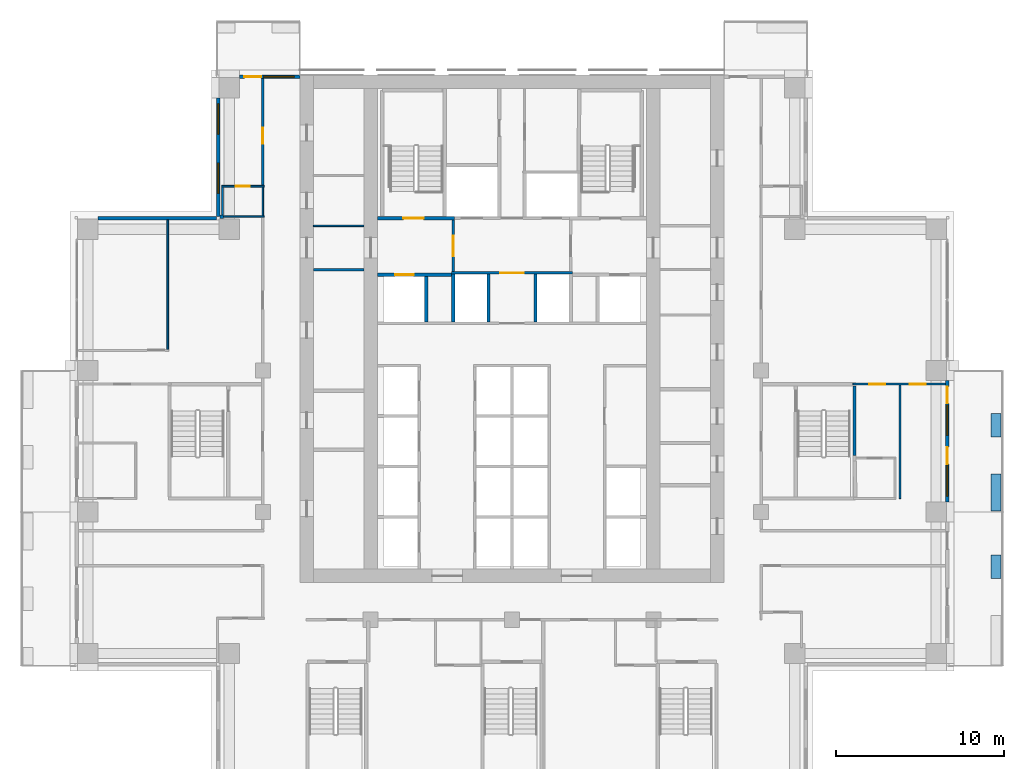
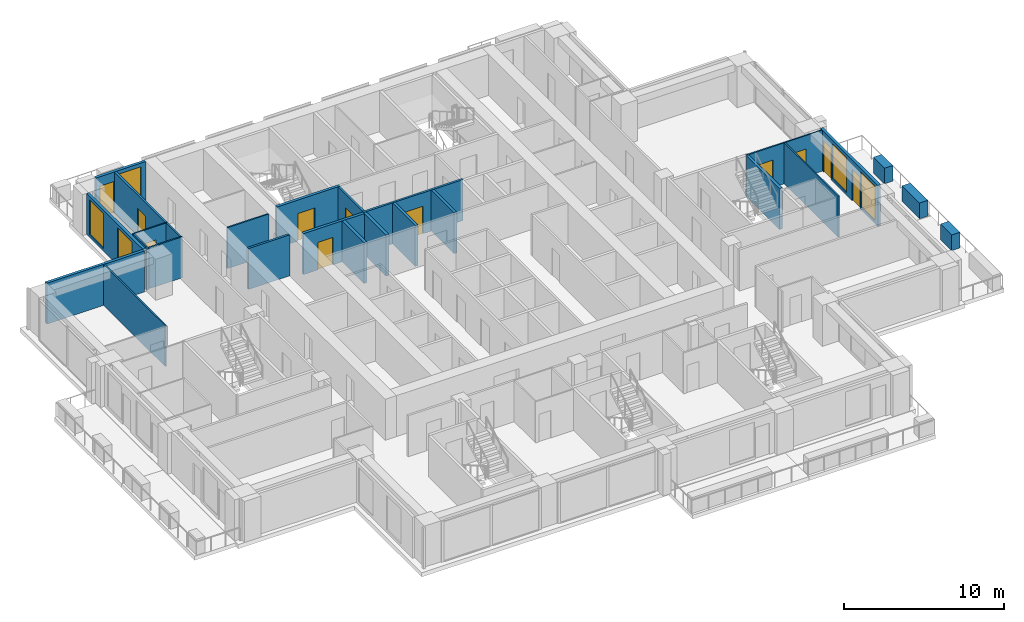
# One storey, part 12 of 18: 27 walls, 11 doors, 5 windows, 16 openings.
"""IFC4 building model written with IfcOpenShell, lengths in metres."""

import ifcopenshell
import ifcopenshell.guid

model = None  # the IFC model being written
_history = None  # IfcOwnerHistory: only IFC2X3 demands one
_inside = {}  # id of a spatial element -> (the spatial element, [elements in it])
_under = {}  # id of a project, library or spatial element -> (it, [spatial elements below it])
_declared = {}  # id of a project -> (the project, [libraries it declares])
_typed = {}  # id of a type object -> (the type object, [elements of that type])
_made_of = {}  # id of a material, layer set ... -> (it, [elements and type objects made of it])


def new_model(schema):
    """Start an empty IFC model of exactly this schema.

    Asked for "IFC4X3", IfcOpenShell would pick the latest addendum, in which some entities
    have other attributes; the version numbers below select the first issue.
    IFC2X3 requires an IfcOwnerHistory on every rooted entity: one is made here for all.
    """
    global model, _history
    if schema == "IFC4X3":
        model = ifcopenshell.file(schema_version=(4, 3, 0, 0))
    else:
        model = ifcopenshell.file(schema=schema)
    _inside.clear()
    _under.clear()
    _declared.clear()
    _typed.clear()
    _made_of.clear()
    _history = None
    if model.schema == "IFC2X3":
        org = make("IfcOrganization", Name="unknown")
        user = make(
            "IfcPersonAndOrganization",
            ThePerson=make("IfcPerson", FamilyName="unknown"),
            TheOrganization=org,
        )
        app = make(
            "IfcApplication",
            ApplicationDeveloper=org,
            Version="unknown",
            ApplicationFullName="unknown",
            ApplicationIdentifier="unknown",
        )
        _history = make(
            "IfcOwnerHistory",
            OwningUser=user,
            OwningApplication=app,
            ChangeAction="ADDED",
            CreationDate=0,
        )
    return model


def make(cls, **values):
    """One entity of the class cls with the attributes given. An attribute that is None is left unset."""
    return model.create_entity(
        cls, **{name: value for name, value in values.items() if value is not None}
    )


def rooted(cls, **values):
    """An entity with a GlobalId (a new one), such as an element, a storey or a relation."""
    return make(cls, GlobalId=ifcopenshell.guid.new(), OwnerHistory=_history, **values)


def si_unit(unit_type, name, prefix=None):
    """IfcSIUnit, for example si_unit("LENGTHUNIT", "METRE", prefix="MILLI")."""
    return make("IfcSIUnit", UnitType=unit_type, Prefix=prefix, Name=name)


def assignment(units):
    """IfcUnitAssignment: the units of a project."""
    return None if units is None else make("IfcUnitAssignment", Units=units)


def point(xyz):
    """IfcCartesianPoint."""
    return None if xyz is None else make("IfcCartesianPoint", Coordinates=xyz)


def direction(xyz):
    """IfcDirection."""
    return None if xyz is None else make("IfcDirection", DirectionRatios=xyz)


def frame(location, z_axis=None, x_axis=None):
    """IfcAxis2Placement3D, a coordinate frame: its origin and axes. An axis left out is left unset."""
    return make(
        "IfcAxis2Placement3D",
        Location=point(location),
        Axis=direction(z_axis),
        RefDirection=direction(x_axis),
    )


def frame_2d(location, x_axis=None):
    """IfcAxis2Placement2D, a coordinate frame in the plane: its origin and x axis."""
    return make(
        "IfcAxis2Placement2D", Location=point(location), RefDirection=direction(x_axis)
    )


def origin():
    """The frame at (0, 0, 0) with its axes left unset."""
    return frame((0.0, 0.0, 0.0))


def place(relative_to, where):
    """IfcLocalPlacement: puts the frame where relative to a parent placement (None: the world)."""
    return make(
        "IfcLocalPlacement", PlacementRelTo=relative_to, RelativePlacement=where
    )


def context(
    kind, dimensions, precision=None, world=None, true_north=None, identifier=None
):
    """IfcGeometricRepresentationContext, for example the 3D "Model" context."""
    return make(
        "IfcGeometricRepresentationContext",
        ContextIdentifier=identifier,
        ContextType=kind,
        CoordinateSpaceDimension=dimensions,
        Precision=precision,
        WorldCoordinateSystem=world,
        TrueNorth=true_north,
    )


def subcontext(parent, identifier, kind, view, scale=None):
    """IfcGeometricRepresentationSubContext, for example "Body" below "Model"."""
    return make(
        "IfcGeometricRepresentationSubContext",
        ContextIdentifier=identifier,
        ContextType=kind,
        ParentContext=parent,
        TargetScale=scale,
        TargetView=view,
    )


def project(units=None, contexts=None):
    """IfcProject with its units and contexts."""
    return rooted(
        "IfcProject",
        Name="project",
        RepresentationContexts=contexts,
        UnitsInContext=assignment(units),
    )


def spatial(cls, under=None, at=None, **own):
    """A site, building, storey or space (cls), placed at a placement, below another one or the project."""
    s = rooted(cls, ObjectPlacement=at, **own)
    if under is not None:
        _under.setdefault(under.id(), (under, []))[1].append(s)
    return s


def profile(cls, at=None, kind="AREA", **sizes):
    """A parametric profile (cls). Its sizes go by their IFC names, for example OverallWidth=200.0."""
    return make(cls, ProfileType=kind, Position=at, **sizes)


def rectangle(**sizes):
    """IfcRectangleProfileDef."""
    return profile("IfcRectangleProfileDef", **sizes)


def extrude(swept, where, along, depth):
    """IfcExtrudedAreaSolid: the profile swept, set in the frame where, extruded along a direction by depth."""
    return make(
        "IfcExtrudedAreaSolid",
        SweptArea=swept,
        Position=where,
        ExtrudedDirection=direction(along),
        Depth=depth,
    )


def shape(context_of_items, identifier, shape_type, items):
    """IfcShapeRepresentation: the items that make up one representation, for example the "Body"."""
    return make(
        "IfcShapeRepresentation",
        ContextOfItems=context_of_items,
        RepresentationIdentifier=identifier,
        RepresentationType=shape_type,
        Items=items,
    )


def material(Name=None, Category=None):
    """IfcMaterial."""
    return make("IfcMaterial", Name=Name, Category=Category)


def layer(
    of_material, thickness, ventilated=None, Name=None, Category=None, Priority=None
):
    """IfcMaterialLayer: one layer of a wall or slab, of a material (None: an air gap)."""
    return make(
        "IfcMaterialLayer",
        Material=of_material,
        LayerThickness=thickness,
        IsVentilated=ventilated,
        Name=Name,
        Category=Category,
        Priority=Priority,
    )


def layer_set(layers, Name=None):
    """IfcMaterialLayerSet."""
    return make("IfcMaterialLayerSet", MaterialLayers=layers, LayerSetName=Name)


def made_of(thing, what):
    """Note that an element or type object is made of a material, layer set ...; save() writes the relation."""
    if what is not None:
        _made_of.setdefault(what.id(), (what, []))[1].append(thing)
    return thing


def type_object(cls, material=None, **own):
    """A type object (cls), such as IfcWallType, which elements share."""
    return made_of(rooted(cls, **own), material)


def element(
    cls,
    number,
    at=None,
    inside=None,
    cuts=None,
    type_object=None,
    material=None,
    context=None,
    identifier="Body",
    shape_type=None,
    held_by="IfcProductDefinitionShape",
    body=None,
    shapes=None,
    **own,
):
    """One element of the class cls, such as IfcWall. Its Tag is "e" and its number.

    at: its placement. inside: the storey or other place that contains it. cuts: it is an
    opening in that element (IfcRelVoidsElement). A single representation is given by context,
    identifier, shape_type and body (its items); several are given by shapes. held_by: the class
    of the entity that holds the representations. save() writes the other relations.
    """
    e = rooted(cls, Tag="e%d" % number, ObjectPlacement=at, **own)
    if body is not None:
        shapes = [shape(context, identifier, shape_type, body)]
    if shapes is not None:
        e.Representation = make(held_by, Representations=shapes)
    if inside is not None:
        _inside.setdefault(inside.id(), (inside, []))[1].append(e)
    if cuts is not None:
        rooted(
            "IfcRelVoidsElement", RelatingBuildingElement=cuts, RelatedOpeningElement=e
        )
    if type_object is not None:
        _typed.setdefault(type_object.id(), (type_object, []))[1].append(e)
    return made_of(e, material)


def fill(opening, filler):
    """IfcRelFillsElement: the door or window that sits in an opening."""
    return rooted(
        "IfcRelFillsElement",
        RelatingOpeningElement=opening,
        RelatedBuildingElement=filler,
    )


def aggregate(whole, parts):
    """IfcRelAggregates: a whole, such as a stair, and the parts it consists of."""
    return rooted("IfcRelAggregates", RelatingObject=whole, RelatedObjects=parts)


def save(model, path):
    """Write the relations noted so far, then the file.

    IfcRelAggregates (storeys below a building ...), IfcRelContainedInSpatialStructure (elements
    in a storey), IfcRelDefinesByType, IfcRelAssociatesMaterial and IfcRelDeclares: one each for
    every whole, place, type object, material and project.
    """
    for whole, parts in _under.values():
        aggregate(whole, parts)
    for where, things in _inside.values():
        rooted(
            "IfcRelContainedInSpatialStructure",
            RelatedElements=things,
            RelatingStructure=where,
        )
    for kind, things in _typed.values():
        rooted("IfcRelDefinesByType", RelatedObjects=things, RelatingType=kind)
    for what, things in _made_of.values():
        rooted("IfcRelAssociatesMaterial", RelatedObjects=things, RelatingMaterial=what)
    for by, libraries in _declared.values():
        rooted("IfcRelDeclares", RelatingContext=by, RelatedDefinitions=libraries)
    model.write(path)


model = new_model("IFC4")

# Units and contexts
model_context = context("Model", 3, precision=1e-05, world=origin(), true_north=direction((0.0, 1.0)))
body_context = subcontext(model_context, "Body", "Model", "MODEL_VIEW")
ifc_project = project(units=[si_unit("LENGTHUNIT", "METRE"), si_unit("AREAUNIT", "SQUARE_METRE"), si_unit("VOLUMEUNIT", "CUBIC_METRE"), si_unit("PLANEANGLEUNIT", "RADIAN"), si_unit("MASSUNIT", "GRAM", prefix="KILO")], contexts=[model_context])

# Site, building, storey
site_placement = place(None, origin())
site = spatial("IfcSite", under=ifc_project, at=site_placement, CompositionType="ELEMENT")
building_placement = place(site_placement, origin())
building = spatial("IfcBuilding", under=site, at=building_placement, Name="Vermilion Ogive Tower", CompositionType="ELEMENT")
storey_placement = place(building_placement, frame((0.0, 0.0, 108.0)))
storey = spatial("IfcBuildingStorey", under=building, at=storey_placement, Name="L27", CompositionType="ELEMENT", Elevation=108.0)

# Wall
ifc_material_1 = material(Name="Gypsum board partition on steel studs", Category="steel")
ifc_layer_1 = layer(ifc_material_1, 0.10009765625)
ifc_layer_set_1 = layer_set([ifc_layer_1], Name="Partition 100 bath")
wall_type_1 = type_object("IfcWallType", Name="Partition 100 bath", PredefinedType="PARTITIONING", material=ifc_layer_set_1)
wall_1_placement = place(storey_placement, frame((-17.25, 13.35009765625, 0.0), z_axis=(0.0, 0.0, 1.0), x_axis=(1.0, 0.0, 0.0)))
element("IfcWall", 1, at=wall_1_placement, inside=storey, type_object=wall_type_1, Name="L27-W-W030", PredefinedType="PARTITIONING", context=body_context, shape_type="SweptSolid", body=[
    extrude(rectangle(XDim=2.52490234375, YDim=0.10009765625, at=frame_2d((1.262451171875, 0.0))), origin(), (0.0, 0.0, 1.0), 3.1298828125),
])

# Wall, opening, door
wall_2_placement = place(storey_placement, frame((-17.25, 15.14990234375, 0.0), z_axis=(0.0, 0.0, 1.0), x_axis=(1.0, 0.0, 0.0)))
wall_2 = element("IfcWall", 2, at=wall_2_placement, inside=storey, type_object=wall_type_1, Name="L27-W-W033", PredefinedType="PARTITIONING", context=body_context, shape_type="SweptSolid", body=[
    extrude(rectangle(XDim=2.52490234375, YDim=0.10009765625, at=frame_2d((1.262451171875, 0.0))), origin(), (0.0, 0.0, 1.0), 3.1298828125),
])
opening_1_placement = place(wall_2_placement, frame((0.824951171875, 0.0, 0.0)))
opening_1 = element("IfcOpeningElement", 3, at=opening_1_placement, cuts=wall_2, Name="Opening D2G4008", PredefinedType="OPENING", context=body_context, shape_type="SweptSolid", body=[
    extrude(rectangle(XDim=0.85009765625, YDim=2.10009765625, at=frame_2d((0.425048828125, 1.050048828125))), frame((0.0, 0.06005859375, 0.0), z_axis=(0.0, -1.0, 0.0), x_axis=(1.0, 0.0, 0.0)), (0.0, 0.0, 1.0), 0.1201171875),
])
ifc_material_2 = material(Name="Timber door leaf", Category="wood")
door_type_1 = type_object("IfcDoorType", Name="Bath door 850 x 2100 FD30", OperationType="SINGLE_SWING_LEFT", PredefinedType="DOOR", material=ifc_material_2)
door_1_placement = place(opening_1_placement, origin())
door_1 = element("IfcDoor", 4, at=door_1_placement, inside=storey, type_object=door_type_1, Name="L27-D-D008", OperationType="SINGLE_SWING_RIGHT", OverallHeight=2.10009765625, OverallWidth=0.85009765625, PredefinedType="DOOR", context=body_context, shape_type="SweptSolid", body=[
    extrude(rectangle(XDim=0.85009765625, YDim=2.10009765625, at=frame_2d((0.425048828125, 1.050048828125))), frame((0.0, 0.02490234375, 0.0), z_axis=(0.0, -1.0, 0.0), x_axis=(1.0, 0.0, 0.0)), (0.0, 0.0, 1.0), 0.050048828125),
])
fill(opening_1, door_1)

# Walls
wall_3_placement = place(storey_placement, frame((-17.199951171875, 13.449951171875, 0.0), z_axis=(0.0, 0.0, 1.0), x_axis=(0.0, 1.0, 0.0)))
element("IfcWall", 5, at=wall_3_placement, inside=storey, type_object=wall_type_1, Name="L27-W-W039", PredefinedType="PARTITIONING", context=body_context, shape_type="SweptSolid", body=[
    extrude(rectangle(XDim=1.650146484375, YDim=0.10009765625, at=frame_2d((0.8251953125, 0.0))), origin(), (0.0, 0.0, 1.0), 3.1298828125),
])
wall_4_placement = place(storey_placement, frame((-14.800048828125, 13.39990234375, 0.0), z_axis=(0.0, 0.0, 1.0), x_axis=(0.0, 1.0, 0.0)))
element("IfcWall", 6, at=wall_4_placement, inside=storey, type_object=wall_type_1, Name="L27-W-W043", PredefinedType="PARTITIONING", context=body_context, shape_type="SweptSolid", body=[
    extrude(rectangle(XDim=1.7001953125, YDim=0.10009765625, at=frame_2d((0.85009765625, 0.0))), origin(), (0.0, 0.0, 1.0), 3.1298828125),
])
wall_5_placement = place(storey_placement, frame((-11.799072265625, 12.800048828125, 0.0), z_axis=(0.0, 0.0, 1.0), x_axis=(1.0, 0.0, 0.0)))
element("IfcWall", 7, at=wall_5_placement, inside=storey, type_object=wall_type_1, Name="L27-CKW-W-W004", PredefinedType="PARTITIONING", context=body_context, shape_type="SweptSolid", body=[
    extrude(rectangle(XDim=2.998046875, YDim=0.10009765625, at=frame_2d((1.4990234375, 0.0))), origin(), (0.0, 0.0, 1.0), 3.1298828125),
])

# Wall, openings, doors
ifc_material_3 = material(Name="Gypsum board partition on steel studs", Category="steel")
ifc_layer_2 = layer(ifc_material_3, 0.10009765625)
ifc_layer_set_2 = layer_set([ifc_layer_2], Name="Partition 100 inner")
wall_type_2 = type_object("IfcWallType", Name="Partition 100 inner", PredefinedType="PARTITIONING", material=ifc_layer_set_2)
wall_6_placement = place(storey_placement, frame((20.25, 3.39990234375, 0.0), z_axis=(0.0, 0.0, 1.0), x_axis=(1.0, 0.0, 0.0)))
wall_6 = element("IfcWall", 8, at=wall_6_placement, inside=storey, type_object=wall_type_2, Name="L27-W-W027", PredefinedType="PARTITIONING", context=body_context, shape_type="SweptSolid", body=[
    extrude(rectangle(XDim=5.5, YDim=0.10009765625, at=frame_2d((2.75, 0.0))), origin(), (0.0, 0.0, 1.0), 3.1298828125),
])
opening_2_placement = place(wall_6_placement, frame((3.375, 0.0, 0.0)))
opening_2 = element("IfcOpeningElement", 9, at=opening_2_placement, cuts=wall_6, Name="Opening D2G4015", PredefinedType="OPENING", context=body_context, shape_type="SweptSolid", body=[
    extrude(rectangle(XDim=0.949951171875, YDim=2.10009765625, at=frame_2d((0.47509765625, 1.050048828125))), frame((0.0, 0.06005859375, 0.0), z_axis=(0.0, -1.0, 0.0), x_axis=(1.0, 0.0, 0.0)), (0.0, 0.0, 1.0), 0.1201171875),
])
opening_3_placement = place(wall_6_placement, frame((0.97509765625, 0.0, 0.0)))
opening_3 = element("IfcOpeningElement", 10, at=opening_3_placement, cuts=wall_6, Name="Opening D2G4017", PredefinedType="OPENING", context=body_context, shape_type="SweptSolid", body=[
    extrude(rectangle(XDim=0.949951171875, YDim=2.10009765625, at=frame_2d((0.47509765625, 1.050048828125))), frame((0.0, 0.06005859375, 0.0), z_axis=(0.0, -1.0, 0.0), x_axis=(1.0, 0.0, 0.0)), (0.0, 0.0, 1.0), 0.1201171875),
])
ifc_material_4 = material(Name="Timber door leaf", Category="wood")
door_type_2 = type_object("IfcDoorType", Name="Inner door 950 x 2100 FD30", OperationType="SINGLE_SWING_LEFT", PredefinedType="DOOR", material=ifc_material_4)
door_2_placement = place(opening_2_placement, origin())
door_2 = element("IfcDoor", 11, at=door_2_placement, inside=storey, type_object=door_type_2, Name="L27-D-D015", OperationType="SINGLE_SWING_RIGHT", OverallHeight=2.10009765625, OverallWidth=0.949951171875, PredefinedType="DOOR", context=body_context, shape_type="SweptSolid", body=[
    extrude(rectangle(XDim=0.949951171875, YDim=2.10009765625, at=frame_2d((0.47509765625, 1.050048828125))), frame((0.0, 0.02490234375, 0.0), z_axis=(0.0, -1.0, 0.0), x_axis=(1.0, 0.0, 0.0)), (0.0, 0.0, 1.0), 0.050048828125),
])
fill(opening_2, door_2)
door_3_placement = place(opening_3_placement, origin())
door_3 = element("IfcDoor", 12, at=door_3_placement, inside=storey, type_object=door_type_2, Name="L27-D-D017", OperationType="SINGLE_SWING_RIGHT", OverallHeight=2.10009765625, OverallWidth=0.949951171875, PredefinedType="DOOR", context=body_context, shape_type="SweptSolid", body=[
    extrude(rectangle(XDim=0.949951171875, YDim=2.10009765625, at=frame_2d((0.47509765625, 1.050048828125))), frame((0.0, 0.02490234375, 0.0), z_axis=(0.0, -1.0, 0.0), x_axis=(1.0, 0.0, 0.0)), (0.0, 0.0, 1.0), 0.050048828125),
])
fill(opening_3, door_3)

# Walls
wall_7_placement = place(storey_placement, frame((-20.449951171875, 5.449951171875, 0.0), z_axis=(0.0, 0.0, 1.0), x_axis=(0.0, 1.0, 0.0)))
element("IfcWall", 13, at=wall_7_placement, inside=storey, type_object=wall_type_2, Name="L27-W-W036", PredefinedType="PARTITIONING", context=body_context, shape_type="SweptSolid", body=[
    extrude(rectangle(XDim=7.699951171875, YDim=0.10009765625, at=frame_2d((3.85009765625, 0.0))), origin(), (0.0, 0.0, 1.0), 3.1298828125),
])
wall_8_placement = place(storey_placement, frame((23.050048828125, -3.39794921875, 0.0), z_axis=(0.0, 0.0, 1.0), x_axis=(0.0, 1.0, 0.0)))
element("IfcWall", 14, at=wall_8_placement, inside=storey, type_object=wall_type_2, Name="L27-W-W064", PredefinedType="PARTITIONING", context=body_context, shape_type="SweptSolid", body=[
    extrude(rectangle(XDim=6.748046875, YDim=0.10009765625, at=frame_2d((3.3740234375, 0.0))), origin(), (0.0, 0.0, 1.0), 3.1298828125),
])

# Wall, opening, door
ifc_material_5 = material(Name="Gypsum board partition on steel studs", Category="steel")
ifc_layer_3 = layer(ifc_material_5, 0.14990234375)
ifc_layer_set_3 = layer_set([ifc_layer_3], Name="Partition 150 corridor")
wall_type_3 = type_object("IfcWallType", Name="Partition 150 corridor", PredefinedType="PARTITIONING", material=ifc_layer_set_3)
wall_9_placement = place(storey_placement, frame((-14.800048828125, 15.199951171875, 0.0), z_axis=(0.0, 0.0, 1.0), x_axis=(0.0, 1.0, 0.0)))
wall_9 = element("IfcWall", 15, at=wall_9_placement, inside=storey, type_object=wall_type_3, Name="L27-W-W044", PredefinedType="PARTITIONING", context=body_context, shape_type="SweptSolid", body=[
    extrude(rectangle(XDim=6.35009765625, YDim=0.14990234375, at=frame_2d((3.175048828125, 0.0))), origin(), (0.0, 0.0, 1.0), 3.1298828125),
])
opening_4_placement = place(wall_9_placement, frame((2.47509765625, 0.0, 0.0)))
opening_4 = element("IfcOpeningElement", 16, at=opening_4_placement, cuts=wall_9, Name="Opening D2G4007", PredefinedType="OPENING", context=body_context, shape_type="SweptSolid", body=[
    extrude(rectangle(XDim=0.949951171875, YDim=2.10009765625, at=frame_2d((0.47509765625, 1.050048828125))), frame((0.0, 0.0849609375, 0.0), z_axis=(0.0, -1.0, 0.0), x_axis=(1.0, 0.0, 0.0)), (0.0, 0.0, 1.0), 0.169921875),
])
ifc_material_6 = material(Name="Timber door leaf", Category="wood")
door_type_3 = type_object("IfcDoorType", Name="Unit door 950 x 2100 FD30S", OperationType="SINGLE_SWING_LEFT", PredefinedType="DOOR", material=ifc_material_6)
door_4_placement = place(opening_4_placement, origin())
door_4 = element("IfcDoor", 17, at=door_4_placement, inside=storey, type_object=door_type_3, Name="L27-D-D007", OperationType="SINGLE_SWING_RIGHT", OverallHeight=2.10009765625, OverallWidth=0.949951171875, PredefinedType="DOOR", context=body_context, shape_type="SweptSolid", body=[
    extrude(rectangle(XDim=0.949951171875, YDim=2.10009765625, at=frame_2d((0.47509765625, 1.050048828125))), frame((0.0, 0.02490234375, 0.0), z_axis=(0.0, -1.0, 0.0), x_axis=(1.0, 0.0, 0.0)), (0.0, 0.0, 1.0), 0.050048828125),
])
fill(opening_4, door_4)

wall_10_placement = place(storey_placement, frame((-3.60009765625, 10.0, 0.0), z_axis=(0.0, 0.0, 1.0), x_axis=(1.0, 0.0, 0.0)))
wall_10 = element("IfcWall", 18, at=wall_10_placement, inside=storey, type_object=wall_type_3, Name="L27-CK-W-W015", PredefinedType="PARTITIONING", context=body_context, shape_type="SweptSolid", body=[
    extrude(rectangle(XDim=7.2001953125, YDim=0.14990234375, at=frame_2d((3.60009765625, 0.0))), origin(), (0.0, 0.0, 1.0), 3.1298828125),
])
opening_5_placement = place(wall_10_placement, frame((2.900146484375, 0.0, 0.0)))
opening_5 = element("IfcOpeningElement", 19, at=opening_5_placement, cuts=wall_10, Name="Opening DAA211", PredefinedType="OPENING", context=body_context, shape_type="SweptSolid", body=[
    extrude(rectangle(XDim=1.39990234375, YDim=2.10009765625, at=frame_2d((0.699951171875, 1.050048828125))), frame((0.0, 0.0849609375, 0.0), z_axis=(0.0, -1.0, 0.0), x_axis=(1.0, 0.0, 0.0)), (0.0, 0.0, 1.0), 0.169921875),
])
ifc_material_7 = material(Name="Timber door leaf", Category="wood")
door_type_4 = type_object("IfcDoorType", Name="Lobby door 1400 x 2100 FD60S", OperationType="SINGLE_SWING_LEFT", PredefinedType="DOOR", material=ifc_material_7)
door_5_placement = place(opening_5_placement, origin())
door_5 = element("IfcDoor", 20, at=door_5_placement, inside=storey, type_object=door_type_4, Name="L27-CK-D-D015", OperationType="SINGLE_SWING_RIGHT", OverallHeight=2.10009765625, OverallWidth=1.39990234375, PredefinedType="DOOR", context=body_context, shape_type="SweptSolid", body=[
    extrude(rectangle(XDim=1.39990234375, YDim=2.10009765625, at=frame_2d((0.699951171875, 1.050048828125))), frame((0.0, 0.02490234375, 0.0), z_axis=(0.0, -1.0, 0.0), x_axis=(1.0, 0.0, 0.0)), (0.0, 0.0, 1.0), 0.050048828125),
])
fill(opening_5, door_5)

wall_11_placement = place(storey_placement, frame((-3.5, 10.074951171875, 0.0), z_axis=(0.0, 0.0, 1.0), x_axis=(0.0, 1.0, 0.0)))
wall_11 = element("IfcWall", 21, at=wall_11_placement, inside=storey, type_object=wall_type_3, Name="L27-CK-W-W025", PredefinedType="PARTITIONING", context=body_context, shape_type="SweptSolid", body=[
    extrude(rectangle(XDim=3.074951171875, YDim=0.14990234375, at=frame_2d((1.53759765625, 0.0))), origin(), (0.0, 0.0, 1.0), 3.1298828125),
])
opening_6_placement = place(wall_11_placement, frame((0.925048828125, 0.0, 0.0)))
opening_6 = element("IfcOpeningElement", 22, at=opening_6_placement, cuts=wall_11, Name="Opening DAA208", PredefinedType="OPENING", context=body_context, shape_type="SweptSolid", body=[
    extrude(rectangle(XDim=1.199951171875, YDim=2.10009765625, at=frame_2d((0.60009765625, 1.050048828125))), frame((0.0, 0.0849609375, 0.0), z_axis=(0.0, -1.0, 0.0), x_axis=(1.0, 0.0, 0.0)), (0.0, 0.0, 1.0), 0.169921875),
])
ifc_material_8 = material(Name="Timber door leaf", Category="wood")
door_type_5 = type_object("IfcDoorType", Name="Lobby door 1200 x 2100 FD60S", OperationType="SINGLE_SWING_LEFT", PredefinedType="DOOR", material=ifc_material_8)
door_6_placement = place(opening_6_placement, origin())
door_6 = element("IfcDoor", 23, at=door_6_placement, inside=storey, type_object=door_type_5, Name="L27-CK-D-D021", OperationType="SINGLE_SWING_RIGHT", OverallHeight=2.10009765625, OverallWidth=1.199951171875, PredefinedType="DOOR", context=body_context, shape_type="SweptSolid", body=[
    extrude(rectangle(XDim=1.199951171875, YDim=2.10009765625, at=frame_2d((0.60009765625, 1.050048828125))), frame((0.0, 0.02490234375, 0.0), z_axis=(0.0, -1.0, 0.0), x_axis=(1.0, 0.0, 0.0)), (0.0, 0.0, 1.0), 0.050048828125),
])
fill(opening_6, door_6)

# Walls
wall_12_placement = place(storey_placement, frame((-11.799072265625, 10.199951171875, 0.0), z_axis=(0.0, 0.0, 1.0), x_axis=(1.0, 0.0, 0.0)))
element("IfcWall", 24, at=wall_12_placement, inside=storey, type_object=wall_type_3, Name="L27-CKW-W-W003", PredefinedType="PARTITIONING", context=body_context, shape_type="SweptSolid", body=[
    extrude(rectangle(XDim=2.998046875, YDim=0.14990234375, at=frame_2d((1.4990234375, 0.0))), origin(), (0.0, 0.0, 1.0), 3.1298828125),
])
ifc_material_9 = material(Name="Gypsum board partition on steel studs", Category="steel")
ifc_layer_4 = layer(ifc_material_9, 0.199951171875)
ifc_layer_set_4 = layer_set([ifc_layer_4], Name="Partition 200 party")
wall_type_4 = type_object("IfcWallType", Name="Partition 200 party", PredefinedType="PARTITIONING", material=ifc_layer_set_4)
wall_13_placement = place(storey_placement, frame((-17.35009765625, 13.35009765625, 0.0), z_axis=(0.0, 0.0, 1.0), x_axis=(1.0, 0.0, 0.0)))
element("IfcWall", 25, at=wall_13_placement, inside=storey, type_object=wall_type_4, Name="L27-W-W029", PredefinedType="PARTITIONING", context=body_context, shape_type="SweptSolid", body=[
    extrude(rectangle(XDim=0.2001953125, YDim=0.199951171875, at=frame_2d((0.10009765625, 0.0))), origin(), (0.0, 0.0, 1.0), 3.1298828125),
])

# Wall, opening, door
wall_14_placement = place(storey_placement, frame((-7.9990234375, 9.89990234375, 0.0), z_axis=(0.0, 0.0, 1.0), x_axis=(1.0, 0.0, 0.0)))
wall_14 = element("IfcWall", 26, at=wall_14_placement, inside=storey, type_object=wall_type_4, Name="L27-CK-W-W013", PredefinedType="PARTITIONING", context=body_context, shape_type="SweptSolid", body=[
    extrude(rectangle(XDim=4.39892578125, YDim=0.199951171875, at=frame_2d((2.199462890625, 0.0))), origin(), (0.0, 0.0, 1.0), 3.1298828125),
])
opening_7_placement = place(wall_14_placement, frame((1.049072265625, 0.0, 0.0)))
opening_7 = element("IfcOpeningElement", 27, at=opening_7_placement, cuts=wall_14, Name="Opening DAA228", PredefinedType="OPENING", context=body_context, shape_type="SweptSolid", body=[
    extrude(rectangle(XDim=1.10009765625, YDim=2.10009765625, at=frame_2d((0.550048828125, 1.050048828125))), frame((0.0, 0.10986328125, 0.0), z_axis=(0.0, -1.0, 0.0), x_axis=(1.0, 0.0, 0.0)), (0.0, 0.0, 1.0), 0.219970703125),
])
ifc_material_10 = material(Name="Stainless steel", Category="steel")
door_type_6 = type_object("IfcDoorType", Name="Lift landing door 1100 x 2100", OperationType="SLIDING_TO_LEFT", PredefinedType="DOOR", material=ifc_material_10)
door_7_placement = place(opening_7_placement, origin())
door_7 = element("IfcDoor", 28, at=door_7_placement, inside=storey, type_object=door_type_6, Name="L27-CK-D-D011", OperationType="SLIDING_TO_LEFT", OverallHeight=2.10009765625, OverallWidth=1.10009765625, PredefinedType="DOOR", context=body_context, shape_type="SweptSolid", body=[
    extrude(rectangle(XDim=1.10009765625, YDim=2.10009765625, at=frame_2d((0.550048828125, 1.050048828125))), frame((0.0, 0.02490234375, 0.0), z_axis=(0.0, -1.0, 0.0), x_axis=(1.0, 0.0, 0.0)), (0.0, 0.0, 1.0), 0.050048828125),
])
fill(opening_7, door_7)

# Walls
wall_15_placement = place(storey_placement, frame((-5.10009765625, 7.074951171875, 0.0), z_axis=(0.0, 0.0, 1.0), x_axis=(0.0, 1.0, 0.0)))
element("IfcWall", 29, at=wall_15_placement, inside=storey, type_object=wall_type_4, Name="L27-CK-W-W022", PredefinedType="PARTITIONING", context=body_context, shape_type="SweptSolid", body=[
    extrude(rectangle(XDim=2.72509765625, YDim=0.199951171875, at=frame_2d((1.362548828125, 0.0))), origin(), (0.0, 0.0, 1.0), 3.1298828125),
])
for number, where, z_axis, x_axis, name in (
    (30, (-3.5, 7.074951171875, 0.0), (0.0, 0.0, 1.0), (0.0, 1.0, 0.0), "L27-CK-W-W024"),
    (31, (-1.39990234375, 7.074951171875, 0.0), (0.0, 0.0, 1.0), (0.0, 1.0, 0.0), "L27-CK-W-W027"),
    (32, (1.39990234375, 7.074951171875, 0.0), (0.0, 0.0, 1.0), (0.0, 1.0, 0.0), "L27-CK-W-W032"),
):
    element("IfcWall", number, at=place(storey_placement, frame(where, z_axis=z_axis, x_axis=x_axis)), inside=storey, type_object=wall_type_4, Name=name, PredefinedType="PARTITIONING", context=body_context, shape_type="SweptSolid", body=[
        extrude(rectangle(XDim=2.85009765625, YDim=0.199951171875, at=frame_2d((1.425048828125, 0.0))), origin(), (0.0, 0.0, 1.0), 3.1298828125),
    ])
ifc_material_11 = material(Name="Concrete B60", Category="concrete")
ifc_layer_5 = layer(ifc_material_11, 0.199951171875)
ifc_layer_set_5 = layer_set([ifc_layer_5], Name="Stair shaft wall 200 Concrete B60")
wall_type_5 = type_object("IfcWallType", Name="Stair shaft wall 200 Concrete B60", PredefinedType="SOLIDWALL", material=ifc_layer_set_5)
wall_16_placement = place(storey_placement, frame((20.35009765625, -0.830078125, 0.0), z_axis=(0.0, 0.0, 1.0), x_axis=(0.0, 1.0, 0.0)))
element("IfcWall", 33, at=wall_16_placement, inside=storey, type_object=wall_type_5, Name="L27-W-W062", PredefinedType="SOLIDWALL", context=body_context, shape_type="SweptSolid", body=[
    extrude(rectangle(XDim=4.130126953125, YDim=0.199951171875, at=frame_2d((2.06494140625, 0.0))), origin(), (0.0, 0.0, 1.0), 3.1298828125),
])

# Wall, opening, door
wall_17_placement = place(storey_placement, frame((-7.9990234375, 13.25, 0.0), z_axis=(0.0, 0.0, 1.0), x_axis=(1.0, 0.0, 0.0)))
wall_17 = element("IfcWall", 34, at=wall_17_placement, inside=storey, type_object=wall_type_5, Name="L27-CK-W-W016", PredefinedType="SOLIDWALL", context=body_context, shape_type="SweptSolid", body=[
    extrude(rectangle(XDim=4.573974609375, YDim=0.199951171875, at=frame_2d((2.287109375, 0.0))), origin(), (0.0, 0.0, 1.0), 3.1298828125),
])
opening_8_placement = place(wall_17_placement, frame((1.549072265625, 0.0, 0.0)))
opening_8 = element("IfcOpeningElement", 35, at=opening_8_placement, cuts=wall_17, Name="Opening DAA216", PredefinedType="OPENING", context=body_context, shape_type="SweptSolid", body=[
    extrude(rectangle(XDim=1.199951171875, YDim=2.10009765625, at=frame_2d((0.60009765625, 1.050048828125))), frame((0.0, 0.10986328125, 0.0), z_axis=(0.0, -1.0, 0.0), x_axis=(1.0, 0.0, 0.0)), (0.0, 0.0, 1.0), 0.219970703125),
])
ifc_material_12 = material(Name="Timber door leaf", Category="wood")
door_type_7 = type_object("IfcDoorType", Name="Stair door 1200 x 2100 FD60S", OperationType="SINGLE_SWING_LEFT", PredefinedType="DOOR", material=ifc_material_12)
door_8_placement = place(opening_8_placement, origin())
door_8 = element("IfcDoor", 36, at=door_8_placement, inside=storey, type_object=door_type_7, Name="L27-CK-D-D010", OperationType="SINGLE_SWING_LEFT", OverallHeight=2.10009765625, OverallWidth=1.199951171875, PredefinedType="DOOR", context=body_context, shape_type="SweptSolid", body=[
    extrude(rectangle(XDim=1.199951171875, YDim=2.10009765625, at=frame_2d((0.60009765625, 1.050048828125))), frame((0.0, 0.02490234375, 0.0), z_axis=(0.0, -1.0, 0.0), x_axis=(1.0, 0.0, 0.0)), (0.0, 0.0, 1.0), 0.050048828125),
])
fill(opening_8, door_8)

# Walls
ifc_material_13 = material(Name="Concrete B40", Category="concrete")
ifc_layer_6 = layer(ifc_material_13, 0.60009765625)
ifc_layer_set_6 = layer_set([ifc_layer_6], Name="Structural planter")
wall_type_6 = type_object("IfcWallType", Name="Structural planter", PredefinedType="USERDEFINED", material=ifc_layer_set_6)
wall_18_placement = place(storey_placement, frame((28.75, -8.14990234375, -0.0400390625), z_axis=(0.0, 0.0, 1.0), x_axis=(0.0, 1.0, 0.0)))
element("IfcWall", 37, at=wall_18_placement, inside=storey, type_object=wall_type_6, Name="Planter E01A2", ObjectType="PLANTER", PredefinedType="USERDEFINED", context=body_context, shape_type="SweptSolid", body=[
    extrude(rectangle(XDim=1.39990234375, YDim=0.60009765625, at=frame_2d((0.699951171875, 0.0))), origin(), (0.0, 0.0, 1.0), 1.199951171875),
])
wall_19_placement = place(storey_placement, frame((28.75, -4.139892578125, -0.0400390625), z_axis=(0.0, 0.0, 1.0), x_axis=(0.0, 1.0, 0.0)))
element("IfcWall", 38, at=wall_19_placement, inside=storey, type_object=wall_type_6, Name="Planter E02A1", ObjectType="PLANTER", PredefinedType="USERDEFINED", context=body_context, shape_type="SweptSolid", body=[
    extrude(rectangle(XDim=2.18994140625, YDim=0.60009765625, at=frame_2d((1.094970703125, 0.0))), origin(), (0.0, 0.0, 1.0), 1.199951171875),
])
wall_20_placement = place(storey_placement, frame((28.75, 0.25, -0.0400390625), z_axis=(0.0, 0.0, 1.0), x_axis=(0.0, 1.0, 0.0)))
element("IfcWall", 39, at=wall_20_placement, inside=storey, type_object=wall_type_6, Name="Planter E02A2", ObjectType="PLANTER", PredefinedType="USERDEFINED", context=body_context, shape_type="SweptSolid", body=[
    extrude(rectangle(XDim=1.39990234375, YDim=0.60009765625, at=frame_2d((0.699951171875, 0.0))), origin(), (0.0, 0.0, 1.0), 1.199951171875),
])

# Wall, openings, doors, windows
ifc_material_14 = material(Name="Aluminium window wall framing", Category="aluminium")
ifc_layer_7 = layer(ifc_material_14, 0.199951171875)
ifc_layer_set_7 = layer_set([ifc_layer_7], Name="Window wall")
wall_type_7 = type_object("IfcWallType", Name="Window wall", PredefinedType="STANDARD", material=ifc_layer_set_7)
wall_21_placement = place(storey_placement, frame((25.85009765625, -3.60009765625, 0.0), z_axis=(0.0, 0.0, 1.0), x_axis=(0.0, 1.0, 0.0)))
wall_21 = element("IfcWall", 40, at=wall_21_placement, inside=storey, type_object=wall_type_7, Name="Window wall E2", PredefinedType="STANDARD", context=body_context, shape_type="SweptSolid", body=[
    extrude(rectangle(XDim=7.2001953125, YDim=0.199951171875, at=frame_2d((3.60009765625, 0.0))), origin(), (0.0, 0.0, 1.0), 3.1298828125),
])
opening_9_placement = place(wall_21_placement, frame((0.35009765625, 0.0, 0.199951171875)))
opening_9 = element("IfcOpeningElement", 41, at=opening_9_placement, cuts=wall_21, Name="Opening W1-E99", PredefinedType="OPENING", context=body_context, shape_type="SweptSolid", body=[
    extrude(rectangle(XDim=1.800048828125, YDim=2.64990234375, at=frame_2d((0.89990234375, 1.324951171875))), frame((0.0, 0.10986328125, 0.0), z_axis=(0.0, -1.0, 0.0), x_axis=(1.0, 0.0, 0.0)), (0.0, 0.0, 1.0), 0.219970703125),
])
opening_10_placement = place(wall_21_placement, frame((2.25, 0.0, 0.0)))
opening_10 = element("IfcOpeningElement", 42, at=opening_10_placement, cuts=wall_21, Name="Opening D1-E99", PredefinedType="OPENING", context=body_context, shape_type="SweptSolid", body=[
    extrude(rectangle(XDim=1.0, YDim=2.39990234375, at=frame_2d((0.5, 1.199951171875))), frame((0.0, 0.10986328125, 0.0), z_axis=(0.0, -1.0, 0.0), x_axis=(1.0, 0.0, 0.0)), (0.0, 0.0, 1.0), 0.219970703125),
])
opening_11_placement = place(wall_21_placement, frame((3.949951171875, 0.0, 0.199951171875)))
opening_11 = element("IfcOpeningElement", 43, at=opening_11_placement, cuts=wall_21, Name="Opening W1-E00", PredefinedType="OPENING", context=body_context, shape_type="SweptSolid", body=[
    extrude(rectangle(XDim=1.800048828125, YDim=2.64990234375, at=frame_2d((0.89990234375, 1.324951171875))), frame((0.0, 0.10986328125, 0.0), z_axis=(0.0, -1.0, 0.0), x_axis=(1.0, 0.0, 0.0)), (0.0, 0.0, 1.0), 0.219970703125),
])
opening_12_placement = place(wall_21_placement, frame((5.85009765625, 0.0, 0.0)))
opening_12 = element("IfcOpeningElement", 44, at=opening_12_placement, cuts=wall_21, Name="Opening D1-E00", PredefinedType="OPENING", context=body_context, shape_type="SweptSolid", body=[
    extrude(rectangle(XDim=1.0, YDim=2.39990234375, at=frame_2d((0.5, 1.199951171875))), frame((0.0, 0.10986328125, 0.0), z_axis=(0.0, -1.0, 0.0), x_axis=(1.0, 0.0, 0.0)), (0.0, 0.0, 1.0), 0.219970703125),
])
ifc_material_15 = material(Name="Aluminium framed glazed door", Category="aluminium")
door_type_8 = type_object("IfcDoorType", Name="Balcony door D1", OperationType="SINGLE_SWING_LEFT", PredefinedType="DOOR", material=ifc_material_15)
door_9_placement = place(opening_10_placement, origin())
door_9 = element("IfcDoor", 45, at=door_9_placement, inside=storey, type_object=door_type_8, Name="Balcony door E99", OperationType="SINGLE_SWING_LEFT", OverallHeight=2.39990234375, OverallWidth=1.0, PredefinedType="DOOR", context=body_context, shape_type="SweptSolid", body=[
    extrude(rectangle(XDim=1.0, YDim=2.39990234375, at=frame_2d((0.5, 1.199951171875))), frame((0.0, 0.02490234375, 0.0), z_axis=(0.0, -1.0, 0.0), x_axis=(1.0, 0.0, 0.0)), (0.0, 0.0, 1.0), 0.050048828125),
])
fill(opening_10, door_9)
door_10_placement = place(opening_12_placement, origin())
door_10 = element("IfcDoor", 46, at=door_10_placement, inside=storey, type_object=door_type_8, Name="Balcony door E00", OperationType="SINGLE_SWING_LEFT", OverallHeight=2.39990234375, OverallWidth=1.0, PredefinedType="DOOR", context=body_context, shape_type="SweptSolid", body=[
    extrude(rectangle(XDim=1.0, YDim=2.39990234375, at=frame_2d((0.5, 1.199951171875))), frame((0.0, 0.02490234375, 0.0), z_axis=(0.0, -1.0, 0.0), x_axis=(1.0, 0.0, 0.0)), (0.0, 0.0, 1.0), 0.050048828125),
])
fill(opening_12, door_10)
ifc_material_16 = material(Name="Aluminium framed double glazing", Category="aluminium")
window_type = type_object("IfcWindowType", Name="Guest window W1", PartitioningType="SINGLE_PANEL", PredefinedType="WINDOW", material=ifc_material_16)
window_1_placement = place(opening_9_placement, origin())
window_1 = element("IfcWindow", 47, at=window_1_placement, inside=storey, type_object=window_type, Name="Window E99", OverallHeight=2.64990234375, OverallWidth=1.800048828125, PartitioningType="SINGLE_PANEL", PredefinedType="WINDOW", context=body_context, shape_type="SweptSolid", body=[
    extrude(rectangle(XDim=1.800048828125, YDim=2.64990234375, at=frame_2d((0.89990234375, 1.324951171875))), frame((0.0, 0.030029296875, 0.0), z_axis=(0.0, -1.0, 0.0), x_axis=(1.0, 0.0, 0.0)), (0.0, 0.0, 1.0), 0.06005859375),
])
fill(opening_9, window_1)
window_2_placement = place(opening_11_placement, origin())
window_2 = element("IfcWindow", 48, at=window_2_placement, inside=storey, type_object=window_type, Name="Window E00", OverallHeight=2.64990234375, OverallWidth=1.800048828125, PartitioningType="SINGLE_PANEL", PredefinedType="WINDOW", context=body_context, shape_type="SweptSolid", body=[
    extrude(rectangle(XDim=1.800048828125, YDim=2.64990234375, at=frame_2d((0.89990234375, 1.324951171875))), frame((0.0, 0.030029296875, 0.0), z_axis=(0.0, -1.0, 0.0), x_axis=(1.0, 0.0, 0.0)), (0.0, 0.0, 1.0), 0.06005859375),
])
fill(opening_11, window_2)

# Wall, openings, door, window
wall_22_placement = place(storey_placement, frame((-12.60009765625, 21.64990234375, 0.0), z_axis=(0.0, 0.0, 1.0), x_axis=(-1.0, 0.0, 0.0)))
wall_22 = element("IfcWall", 49, at=wall_22_placement, inside=storey, type_object=wall_type_7, Name="Window wall N21", PredefinedType="STANDARD", context=body_context, shape_type="SweptSolid", body=[
    extrude(rectangle(XDim=3.599853515625, YDim=0.199951171875, at=frame_2d((1.7998046875, 0.0))), origin(), (0.0, 0.0, 1.0), 3.1298828125),
])
opening_13_placement = place(wall_22_placement, frame((0.35009765625, 0.0, 0.199951171875)))
opening_13 = element("IfcOpeningElement", 50, at=opening_13_placement, cuts=wall_22, Name="Opening W1-N296", PredefinedType="OPENING", context=body_context, shape_type="SweptSolid", body=[
    extrude(rectangle(XDim=1.800048828125, YDim=2.64990234375, at=frame_2d((0.89990234375, 1.324951171875))), frame((0.0, 0.10986328125, 0.0), z_axis=(0.0, -1.0, 0.0), x_axis=(1.0, 0.0, 0.0)), (0.0, 0.0, 1.0), 0.219970703125),
])
opening_14_placement = place(wall_22_placement, frame((2.300048828125, 0.0, 0.0)))
opening_14 = element("IfcOpeningElement", 51, at=opening_14_placement, cuts=wall_22, Name="Opening D1-N296", PredefinedType="OPENING", context=body_context, shape_type="SweptSolid", body=[
    extrude(rectangle(XDim=1.0, YDim=2.39990234375, at=frame_2d((0.5, 1.199951171875))), frame((0.0, 0.10986328125, 0.0), z_axis=(0.0, -1.0, 0.0), x_axis=(1.0, 0.0, 0.0)), (0.0, 0.0, 1.0), 0.219970703125),
])
door_11_placement = place(opening_14_placement, origin())
door_11 = element("IfcDoor", 52, at=door_11_placement, inside=storey, type_object=door_type_8, Name="Balcony door N296", OperationType="SINGLE_SWING_LEFT", OverallHeight=2.39990234375, OverallWidth=1.0, PredefinedType="DOOR", context=body_context, shape_type="SweptSolid", body=[
    extrude(rectangle(XDim=1.0, YDim=2.39990234375, at=frame_2d((0.5, 1.199951171875))), frame((0.0, 0.02490234375, 0.0), z_axis=(0.0, -1.0, 0.0), x_axis=(1.0, 0.0, 0.0)), (0.0, 0.0, 1.0), 0.050048828125),
])
fill(opening_14, door_11)
window_3_placement = place(opening_13_placement, origin())
window_3 = element("IfcWindow", 53, at=window_3_placement, inside=storey, type_object=window_type, Name="Window N296", OverallHeight=2.64990234375, OverallWidth=1.800048828125, PartitioningType="SINGLE_PANEL", PredefinedType="WINDOW", context=body_context, shape_type="SweptSolid", body=[
    extrude(rectangle(XDim=1.800048828125, YDim=2.64990234375, at=frame_2d((0.89990234375, 1.324951171875))), frame((0.0, 0.030029296875, 0.0), z_axis=(0.0, -1.0, 0.0), x_axis=(1.0, 0.0, 0.0)), (0.0, 0.0, 1.0), 0.06005859375),
])
fill(opening_13, window_3)

# Wall, openings, windows
wall_23_placement = place(storey_placement, frame((-17.449951171875, 20.39990234375, 0.0), z_axis=(0.0, 0.0, 1.0), x_axis=(0.0, -1.0, 0.0)))
wall_23 = element("IfcWall", 54, at=wall_23_placement, inside=storey, type_object=wall_type_7, Name="Window wall X51", PredefinedType="STANDARD", context=body_context, shape_type="SweptSolid", body=[
    extrude(rectangle(XDim=7.0498046875, YDim=0.199951171875, at=frame_2d((3.52490234375, 0.0))), origin(), (0.0, 0.0, 1.0), 3.1298828125),
])
opening_15_placement = place(wall_23_placement, frame((3.875, 0.0, 0.199951171875)))
opening_15 = element("IfcOpeningElement", 55, at=opening_15_placement, cuts=wall_23, Name="Opening W1-X503", PredefinedType="OPENING", context=body_context, shape_type="SweptSolid", body=[
    extrude(rectangle(XDim=1.800048828125, YDim=2.64990234375, at=frame_2d((0.89990234375, 1.324951171875))), frame((0.0, 0.10986328125, 0.0), z_axis=(0.0, -1.0, 0.0), x_axis=(1.0, 0.0, 0.0)), (0.0, 0.0, 1.0), 0.219970703125),
])
opening_16_placement = place(wall_23_placement, frame((0.35009765625, 0.0, 0.199951171875)))
opening_16 = element("IfcOpeningElement", 56, at=opening_16_placement, cuts=wall_23, Name="Opening W1-X504", PredefinedType="OPENING", context=body_context, shape_type="SweptSolid", body=[
    extrude(rectangle(XDim=1.800048828125, YDim=2.64990234375, at=frame_2d((0.89990234375, 1.324951171875))), frame((0.0, 0.10986328125, 0.0), z_axis=(0.0, -1.0, 0.0), x_axis=(1.0, 0.0, 0.0)), (0.0, 0.0, 1.0), 0.219970703125),
])
window_4_placement = place(opening_15_placement, origin())
window_4 = element("IfcWindow", 57, at=window_4_placement, inside=storey, type_object=window_type, Name="Window X503", OverallHeight=2.64990234375, OverallWidth=1.800048828125, PartitioningType="SINGLE_PANEL", PredefinedType="WINDOW", context=body_context, shape_type="SweptSolid", body=[
    extrude(rectangle(XDim=1.800048828125, YDim=2.64990234375, at=frame_2d((0.89990234375, 1.324951171875))), frame((0.0, 0.030029296875, 0.0), z_axis=(0.0, -1.0, 0.0), x_axis=(1.0, 0.0, 0.0)), (0.0, 0.0, 1.0), 0.06005859375),
])
fill(opening_15, window_4)
window_5_placement = place(opening_16_placement, origin())
window_5 = element("IfcWindow", 58, at=window_5_placement, inside=storey, type_object=window_type, Name="Window X504", OverallHeight=2.64990234375, OverallWidth=1.800048828125, PartitioningType="SINGLE_PANEL", PredefinedType="WINDOW", context=body_context, shape_type="SweptSolid", body=[
    extrude(rectangle(XDim=1.800048828125, YDim=2.64990234375, at=frame_2d((0.89990234375, 1.324951171875))), frame((0.0, 0.030029296875, 0.0), z_axis=(0.0, -1.0, 0.0), x_axis=(1.0, 0.0, 0.0)), (0.0, 0.0, 1.0), 0.06005859375),
])
fill(opening_16, window_5)

# Wall
wall_24_placement = place(storey_placement, frame((-17.550048828125, 13.25, 0.0), z_axis=(0.0, 0.0, 1.0), x_axis=(-1.0, 0.0, 0.0)))
element("IfcWall", 59, at=wall_24_placement, inside=storey, type_object=wall_type_7, Name="Window wall X61", PredefinedType="STANDARD", context=body_context, shape_type="SweptSolid", body=[
    extrude(rectangle(XDim=7.050048828125, YDim=0.199951171875, at=frame_2d((3.52490234375, 0.0))), origin(), (0.0, 0.0, 1.0), 3.1298828125),
])

save(model, "model.ifc")
